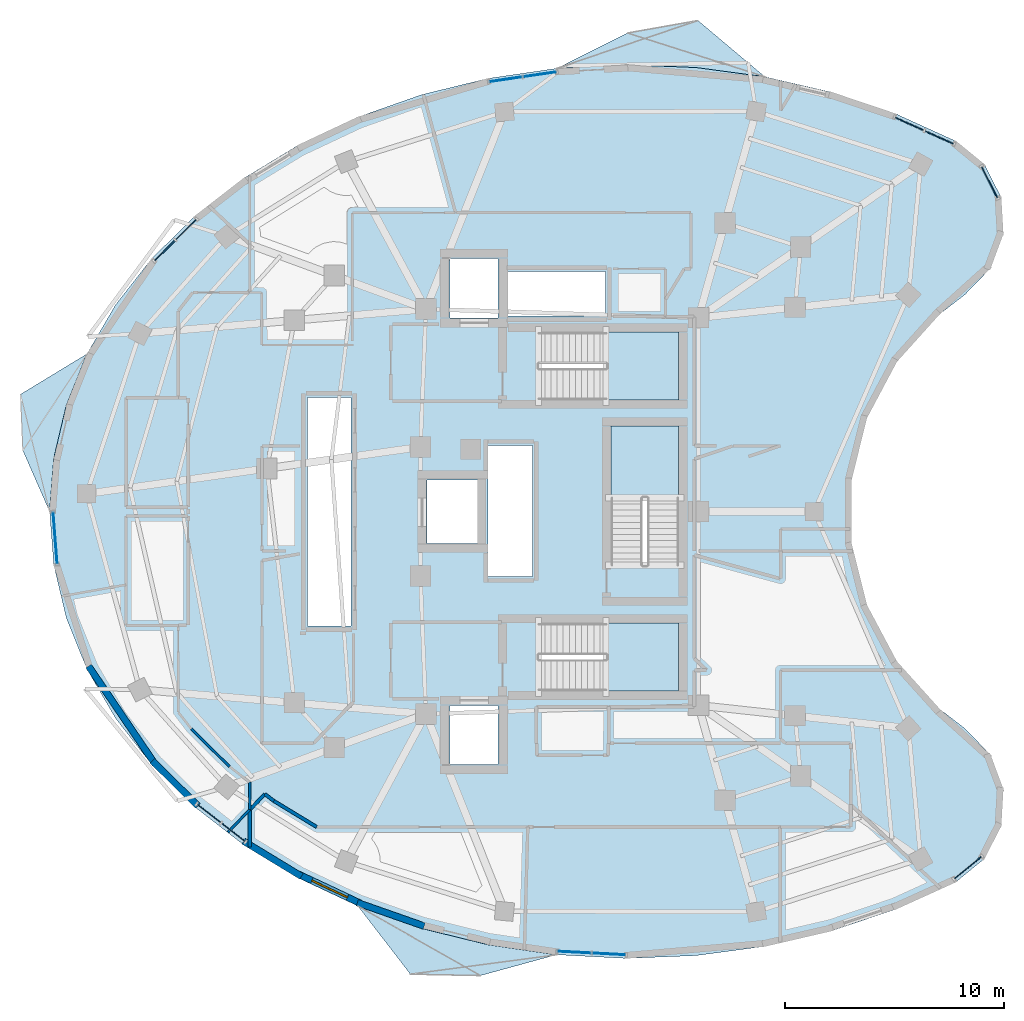
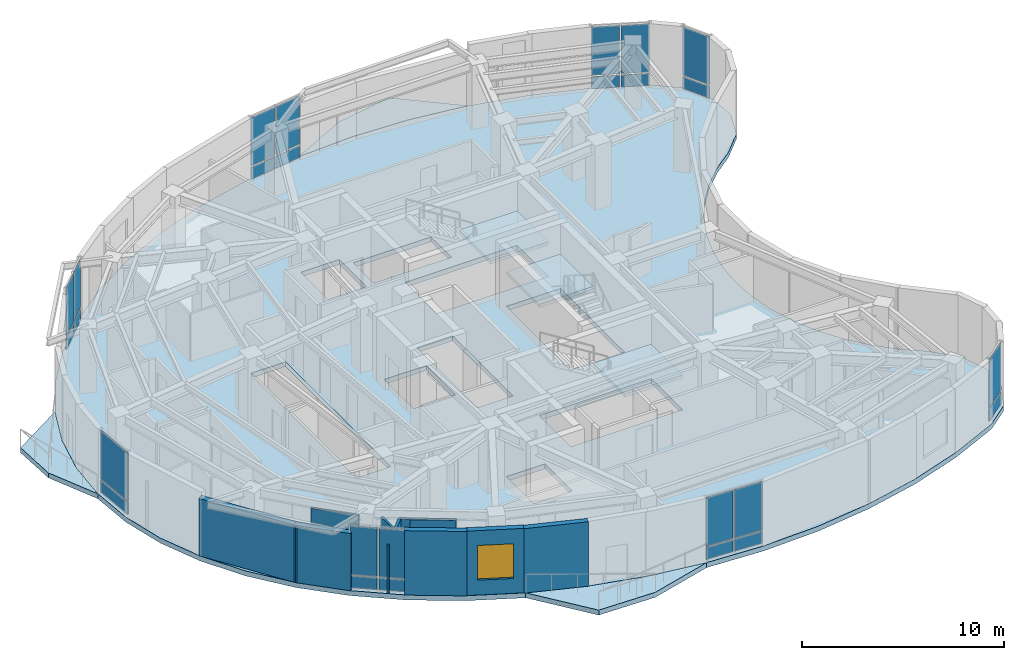
# One storey, part 6 of 14: 26 plates, 12 walls, 7 slabs, 1 window, 1 opening, 11 elements without a shape of their own.
"""IFC4 building model written with IfcOpenShell, lengths in metres."""

from ifc_helpers import new_model, si_unit, direction, frame, frame_2d, origin, origin_2d, place, context, subcontext, project, spatial, polyline, rectangle, outline, extrude, material, layer, layer_set, type_object, element, fill, aggregate, save


model = new_model("IFC4")

# Units and contexts
model_context = context("Model", 3, precision=1e-05, world=origin(), true_north=direction((0.0, 1.0)))
body_context = subcontext(model_context, "Body", "Model", "MODEL_VIEW")
ifc_project = project(units=[si_unit("LENGTHUNIT", "METRE"), si_unit("AREAUNIT", "SQUARE_METRE"), si_unit("VOLUMEUNIT", "CUBIC_METRE"), si_unit("PLANEANGLEUNIT", "RADIAN"), si_unit("MASSUNIT", "GRAM", prefix="KILO")], contexts=[model_context])

# Site, building, storey
site_placement = place(None, origin())
site = spatial("IfcSite", under=ifc_project, at=site_placement, CompositionType="ELEMENT")
building_placement = place(site_placement, origin())
building = spatial("IfcBuilding", under=site, at=building_placement, Name="Korentha Bioscience Tower", CompositionType="ELEMENT")
storey_placement = place(building_placement, frame((0.0, 0.0, 264.60009765625)))
storey = spatial("IfcBuildingStorey", under=building, at=storey_placement, Name="L61", CompositionType="ELEMENT", Elevation=264.60009765625)

# Curtain wall, plates
ifc_material_1 = material(Name="Thermally Broken Aluminium Frame", Category="aluminium")
ifc_layer_1 = layer(ifc_material_1, 0.219970703125, Name="Thermally Broken Aluminium Frame")
ifc_layer_set_1 = layer_set([ifc_layer_1], Name="Thermally Broken Aluminium Frame (CW-T1)")
curtain_wall_type = type_object("IfcCurtainWallType", Name="Standard Bioscience Lab Unitised Curtain Wall CW-T1", PredefinedType="USERDEFINED", material=ifc_layer_set_1)
curtain_wall_1_placement = place(storey_placement, origin())
curtain_wall_1 = element("IfcCurtainWall", 1, at=curtain_wall_1_placement, inside=storey, type_object=curtain_wall_type, Name="L61 Curtain Wall 01", ObjectType="UNITISED", PredefinedType="USERDEFINED")
ifc_material_2 = material(Name="Triple-Glazed Low-E Insulated Glass", Category="glass")
ifc_layer_2 = layer(ifc_material_2, 0.0439453125, Name="Triple-Glazed Low-E Insulated Glass")
ifc_layer_set_2 = layer_set([ifc_layer_2], Name="Triple-Glazed Low-E Insulated Glass (GL-44)")
plate_type = type_object("IfcPlateType", Name="Glazed Panel 44mm", PredefinedType="CURTAIN_PANEL", material=ifc_layer_set_2)
plate_1_placement = place(storey_placement, frame((48.554931640625, 44.091064453125, 0.08984375), z_axis=(0.0, 0.0, 1.0), x_axis=(-0.910604060449, 0.413279862918, 0.0)))
plate_1 = element("IfcPlate", 2, at=plate_1_placement, type_object=plate_type, Name="CW-L61-01 Bay 1 Glazed Panel 1", PredefinedType="CURTAIN_PANEL", context=body_context, shape_type="SweptSolid", body=[
    extrude(rectangle(XDim=1.41357421875, YDim=0.0439453125, at=origin_2d()), origin(), (0.0, 0.0, 1.0), 0.715087890625),
])
plate_2_placement = place(storey_placement, frame((48.554931640625, 44.091064453125, 0.894775390625), z_axis=(0.0, 0.0, 1.0), x_axis=(-0.910604060449, 0.413279862918, 0.0)))
plate_2 = element("IfcPlate", 3, at=plate_2_placement, type_object=plate_type, Name="CW-L61-01 Bay 1 Glazed Panel 2", PredefinedType="CURTAIN_PANEL", context=body_context, shape_type="SweptSolid", body=[
    extrude(rectangle(XDim=1.41357421875, YDim=0.0439453125, at=origin_2d()), origin(), (0.0, 0.0, 1.0), 2.9150390625),
])
plate_3_placement = place(storey_placement, frame((47.185791015625, 44.71240234375, 0.08984375), z_axis=(0.0, 0.0, 1.0), x_axis=(-0.910604060449, 0.413279862918, 0.0)))
plate_3 = element("IfcPlate", 4, at=plate_3_placement, type_object=plate_type, Name="CW-L61-01 Bay 2 Glazed Panel 1", PredefinedType="CURTAIN_PANEL", context=body_context, shape_type="SweptSolid", body=[
    extrude(rectangle(XDim=1.41357421875, YDim=0.0439453125, at=origin_2d()), origin(), (0.0, 0.0, 1.0), 0.715087890625),
])
plate_4_placement = place(storey_placement, frame((47.185791015625, 44.71240234375, 0.894775390625), z_axis=(0.0, 0.0, 1.0), x_axis=(-0.910604060449, 0.413279862918, 0.0)))
plate_4 = element("IfcPlate", 5, at=plate_4_placement, type_object=plate_type, Name="CW-L61-01 Bay 2 Glazed Panel 2", PredefinedType="CURTAIN_PANEL", context=body_context, shape_type="SweptSolid", body=[
    extrude(rectangle(XDim=1.41357421875, YDim=0.0439453125, at=origin_2d()), origin(), (0.0, 0.0, 1.0), 2.9150390625),
])
aggregate(curtain_wall_1, [plate_1, plate_2, plate_3, plate_4])

curtain_wall_2_placement = place(storey_placement, origin())
curtain_wall_2 = element("IfcCurtainWall", 6, at=curtain_wall_2_placement, inside=storey, type_object=curtain_wall_type, Name="L61 Curtain Wall 07", ObjectType="UNITISED", PredefinedType="USERDEFINED")
plate_5_placement = place(storey_placement, frame((30.309814453125, 46.9736328125, 0.08984375), z_axis=(0.0, 0.0, 1.0), x_axis=(-0.989459665324, -0.144808738328, 0.0)))
plate_5 = element("IfcPlate", 7, at=plate_5_placement, type_object=plate_type, Name="CW-L61-07 Bay 1 Glazed Panel 1", PredefinedType="CURTAIN_PANEL", context=body_context, shape_type="SweptSolid", body=[
    extrude(rectangle(XDim=1.489013671875, YDim=0.0439453125, at=origin_2d()), origin(), (0.0, 0.0, 1.0), 0.715087890625),
])
plate_6_placement = place(storey_placement, frame((30.309814453125, 46.9736328125, 0.894775390625), z_axis=(0.0, 0.0, 1.0), x_axis=(-0.989459665324, -0.144808738328, 0.0)))
plate_6 = element("IfcPlate", 8, at=plate_6_placement, type_object=plate_type, Name="CW-L61-07 Bay 1 Glazed Panel 2", PredefinedType="CURTAIN_PANEL", context=body_context, shape_type="SweptSolid", body=[
    extrude(rectangle(XDim=1.489013671875, YDim=0.0439453125, at=origin_2d()), origin(), (0.0, 0.0, 1.0), 2.9150390625),
])
plate_7_placement = place(storey_placement, frame((28.74755859375, 46.7451171875, 0.08984375), z_axis=(0.0, 0.0, 1.0), x_axis=(-0.989459665324, -0.144808738328, 0.0)))
plate_7 = element("IfcPlate", 9, at=plate_7_placement, type_object=plate_type, Name="CW-L61-07 Bay 2 Glazed Panel 1", PredefinedType="CURTAIN_PANEL", context=body_context, shape_type="SweptSolid", body=[
    extrude(rectangle(XDim=1.489013671875, YDim=0.0439453125, at=origin_2d()), origin(), (0.0, 0.0, 1.0), 0.715087890625),
])
plate_8_placement = place(storey_placement, frame((28.74755859375, 46.7451171875, 0.894775390625), z_axis=(0.0, 0.0, 1.0), x_axis=(-0.989459665324, -0.144808738328, 0.0)))
plate_8 = element("IfcPlate", 10, at=plate_8_placement, type_object=plate_type, Name="CW-L61-07 Bay 2 Glazed Panel 2", PredefinedType="CURTAIN_PANEL", context=body_context, shape_type="SweptSolid", body=[
    extrude(rectangle(XDim=1.489013671875, YDim=0.0439453125, at=origin_2d()), origin(), (0.0, 0.0, 1.0), 2.9150390625),
])
aggregate(curtain_wall_2, [plate_5, plate_6, plate_7, plate_8])

curtain_wall_3_placement = place(storey_placement, origin())
curtain_wall_3 = element("IfcCurtainWall", 11, at=curtain_wall_3_placement, inside=storey, type_object=curtain_wall_type, Name="L61 Curtain Wall 13", ObjectType="UNITISED", PredefinedType="USERDEFINED")
plate_9_placement = place(storey_placement, frame((14.144775390625, 39.8828125, 0.08984375), z_axis=(0.0, 0.0, 1.0), x_axis=(-0.711397700041, -0.702789664392, 0.0)))
plate_9 = element("IfcPlate", 12, at=plate_9_placement, type_object=plate_type, Name="CW-L61-13 Bay 1 Glazed Panel 1", PredefinedType="CURTAIN_PANEL", context=body_context, shape_type="SweptSolid", body=[
    extrude(rectangle(XDim=1.2822265625, YDim=0.0439453125, at=origin_2d()), origin(), (0.0, 0.0, 1.0), 0.715087890625),
])
plate_10_placement = place(storey_placement, frame((14.144775390625, 39.8828125, 0.894775390625), z_axis=(0.0, 0.0, 1.0), x_axis=(-0.711397700041, -0.702789664392, 0.0)))
plate_10 = element("IfcPlate", 13, at=plate_10_placement, type_object=plate_type, Name="CW-L61-13 Bay 1 Glazed Panel 2", PredefinedType="CURTAIN_PANEL", context=body_context, shape_type="SweptSolid", body=[
    extrude(rectangle(XDim=1.2822265625, YDim=0.0439453125, at=origin_2d()), origin(), (0.0, 0.0, 1.0), 2.9150390625),
])
plate_11_placement = place(storey_placement, frame((13.16845703125, 38.918212890625, 0.08984375), z_axis=(0.0, 0.0, 1.0), x_axis=(-0.711397700041, -0.702789664392, 0.0)))
plate_11 = element("IfcPlate", 14, at=plate_11_placement, type_object=plate_type, Name="CW-L61-13 Bay 2 Glazed Panel 1", PredefinedType="CURTAIN_PANEL", context=body_context, shape_type="SweptSolid", body=[
    extrude(rectangle(XDim=1.2822265625, YDim=0.0439453125, at=origin_2d()), origin(), (0.0, 0.0, 1.0), 0.715087890625),
])
plate_12_placement = place(storey_placement, frame((13.16845703125, 38.918212890625, 0.894775390625), z_axis=(0.0, 0.0, 1.0), x_axis=(-0.711397700041, -0.702789664392, 0.0)))
plate_12 = element("IfcPlate", 15, at=plate_12_placement, type_object=plate_type, Name="CW-L61-13 Bay 2 Glazed Panel 2", PredefinedType="CURTAIN_PANEL", context=body_context, shape_type="SweptSolid", body=[
    extrude(rectangle(XDim=1.2822265625, YDim=0.0439453125, at=origin_2d()), origin(), (0.0, 0.0, 1.0), 2.9150390625),
])
aggregate(curtain_wall_3, [plate_9, plate_10, plate_11, plate_12])

curtain_wall_4_placement = place(storey_placement, origin())
curtain_wall_4 = element("IfcCurtainWall", 16, at=curtain_wall_4_placement, inside=storey, type_object=curtain_wall_type, Name="L61 Curtain Wall 19", ObjectType="UNITISED", PredefinedType="USERDEFINED")
plate_13_placement = place(storey_placement, frame((8.164306640625, 25.7880859375, 0.08984375), z_axis=(0.0, 0.0, 1.0), x_axis=(0.078035250492, -0.996950600421, 0.0)))
plate_13 = element("IfcPlate", 17, at=plate_13_placement, type_object=plate_type, Name="CW-L61-19 Bay 1 Glazed Panel 1", PredefinedType="CURTAIN_PANEL", context=body_context, shape_type="SweptSolid", body=[
    extrude(rectangle(XDim=2.35595703125, YDim=0.0439453125, at=origin_2d()), origin(), (0.0, 0.0, 1.0), 0.715087890625),
])
plate_14_placement = place(storey_placement, frame((8.164306640625, 25.7880859375, 0.894775390625), z_axis=(0.0, 0.0, 1.0), x_axis=(0.078035250492, -0.996950600421, 0.0)))
plate_14 = element("IfcPlate", 18, at=plate_14_placement, type_object=plate_type, Name="CW-L61-19 Bay 1 Glazed Panel 2", PredefinedType="CURTAIN_PANEL", context=body_context, shape_type="SweptSolid", body=[
    extrude(rectangle(XDim=2.35595703125, YDim=0.0439453125, at=origin_2d()), origin(), (0.0, 0.0, 1.0), 2.9150390625),
])
aggregate(curtain_wall_4, [plate_13, plate_14])

curtain_wall_5_placement = place(storey_placement, origin())
curtain_wall_5 = element("IfcCurtainWall", 19, at=curtain_wall_5_placement, inside=storey, type_object=curtain_wall_type, Name="L61 Curtain Wall 25", ObjectType="UNITISED", PredefinedType="USERDEFINED")
plate_15_placement = place(storey_placement, frame((15.185791015625, 13.20751953125, 0.08984375), z_axis=(0.0, 0.0, 1.0), x_axis=(0.790487520139, -0.612478146961, 0.0)))
plate_15 = element("IfcPlate", 20, at=plate_15_placement, type_object=plate_type, Name="CW-L61-25 Bay 1 Glazed Panel 1", PredefinedType="CURTAIN_PANEL", context=body_context, shape_type="SweptSolid", body=[
    extrude(rectangle(XDim=1.326416015625, YDim=0.0439453125, at=origin_2d()), origin(), (0.0, 0.0, 1.0), 0.715087890625),
])
plate_16_placement = place(storey_placement, frame((15.185791015625, 13.20751953125, 0.894775390625), z_axis=(0.0, 0.0, 1.0), x_axis=(0.790487520139, -0.612478146961, 0.0)))
plate_16 = element("IfcPlate", 21, at=plate_16_placement, type_object=plate_type, Name="CW-L61-25 Bay 1 Glazed Panel 2", PredefinedType="CURTAIN_PANEL", context=body_context, shape_type="SweptSolid", body=[
    extrude(rectangle(XDim=1.326416015625, YDim=0.0439453125, at=origin_2d()), origin(), (0.0, 0.0, 1.0), 2.9150390625),
])
plate_17_placement = place(storey_placement, frame((16.305419921875, 12.33984375, 0.08984375), z_axis=(0.0, 0.0, 1.0), x_axis=(0.790487520139, -0.612478146961, 0.0)))
plate_17 = element("IfcPlate", 22, at=plate_17_placement, type_object=plate_type, Name="CW-L61-25 Bay 2 Glazed Panel 1", PredefinedType="CURTAIN_PANEL", context=body_context, shape_type="SweptSolid", body=[
    extrude(rectangle(XDim=1.326416015625, YDim=0.0439453125, at=origin_2d()), origin(), (0.0, 0.0, 1.0), 0.715087890625),
])
plate_18_placement = place(storey_placement, frame((16.305419921875, 12.33984375, 0.894775390625), z_axis=(0.0, 0.0, 1.0), x_axis=(0.790487520139, -0.612478146961, 0.0)))
plate_18 = element("IfcPlate", 23, at=plate_18_placement, type_object=plate_type, Name="CW-L61-25 Bay 2 Glazed Panel 2", PredefinedType="CURTAIN_PANEL", context=body_context, shape_type="SweptSolid", body=[
    extrude(rectangle(XDim=1.326416015625, YDim=0.0439453125, at=origin_2d()), origin(), (0.0, 0.0, 1.0), 2.9150390625),
])
aggregate(curtain_wall_5, [plate_15, plate_16, plate_17, plate_18])

curtain_wall_6_placement = place(storey_placement, origin())
curtain_wall_6 = element("IfcCurtainWall", 24, at=curtain_wall_6_placement, inside=storey, type_object=curtain_wall_type, Name="L61 Curtain Wall 31", ObjectType="UNITISED", PredefinedType="USERDEFINED")
plate_19_placement = place(storey_placement, frame((31.87939453125, 6.87109375, 0.08984375), z_axis=(0.0, 0.0, 1.0), x_axis=(0.998636113937, -0.052210266622, 0.0)))
plate_19 = element("IfcPlate", 25, at=plate_19_placement, type_object=plate_type, Name="CW-L61-31 Bay 1 Glazed Panel 1", PredefinedType="CURTAIN_PANEL", context=body_context, shape_type="SweptSolid", body=[
    extrude(rectangle(XDim=1.498779296875, YDim=0.0439453125, at=origin_2d()), origin(), (0.0, 0.0, 1.0), 0.715087890625),
])
plate_20_placement = place(storey_placement, frame((31.87939453125, 6.87109375, 0.894775390625), z_axis=(0.0, 0.0, 1.0), x_axis=(0.998636113937, -0.052210266622, 0.0)))
plate_20 = element("IfcPlate", 26, at=plate_20_placement, type_object=plate_type, Name="CW-L61-31 Bay 1 Glazed Panel 2", PredefinedType="CURTAIN_PANEL", context=body_context, shape_type="SweptSolid", body=[
    extrude(rectangle(XDim=1.498779296875, YDim=0.0439453125, at=origin_2d()), origin(), (0.0, 0.0, 1.0), 2.9150390625),
])
plate_21_placement = place(storey_placement, frame((33.466064453125, 6.7880859375, 0.08984375), z_axis=(0.0, 0.0, 1.0), x_axis=(0.998636113937, -0.052210266622, 0.0)))
plate_21 = element("IfcPlate", 27, at=plate_21_placement, type_object=plate_type, Name="CW-L61-31 Bay 2 Glazed Panel 1", PredefinedType="CURTAIN_PANEL", context=body_context, shape_type="SweptSolid", body=[
    extrude(rectangle(XDim=1.498779296875, YDim=0.0439453125, at=origin_2d()), origin(), (0.0, 0.0, 1.0), 0.715087890625),
])
plate_22_placement = place(storey_placement, frame((33.466064453125, 6.7880859375, 0.894775390625), z_axis=(0.0, 0.0, 1.0), x_axis=(0.998636113937, -0.052210266622, 0.0)))
plate_22 = element("IfcPlate", 28, at=plate_22_placement, type_object=plate_type, Name="CW-L61-31 Bay 2 Glazed Panel 2", PredefinedType="CURTAIN_PANEL", context=body_context, shape_type="SweptSolid", body=[
    extrude(rectangle(XDim=1.498779296875, YDim=0.0439453125, at=origin_2d()), origin(), (0.0, 0.0, 1.0), 2.9150390625),
])
aggregate(curtain_wall_6, [plate_19, plate_20, plate_21, plate_22])

curtain_wall_7_placement = place(storey_placement, origin())
curtain_wall_7 = element("IfcCurtainWall", 29, at=curtain_wall_7_placement, inside=storey, type_object=curtain_wall_type, Name="L61 Curtain Wall 37", ObjectType="UNITISED", PredefinedType="USERDEFINED")
plate_23_placement = place(storey_placement, frame((49.85986328125, 10.732177734375, 0.08984375), z_axis=(0.0, 0.0, 1.0), x_axis=(0.774235415138, 0.632897718393, 0.0)))
plate_23 = element("IfcPlate", 30, at=plate_23_placement, type_object=plate_type, Name="CW-L61-37 Bay 1 Glazed Panel 1", PredefinedType="CURTAIN_PANEL", context=body_context, shape_type="SweptSolid", body=[
    extrude(rectangle(XDim=1.581787109375, YDim=0.0439453125, at=origin_2d()), origin(), (0.0, 0.0, 1.0), 0.715087890625),
])
plate_24_placement = place(storey_placement, frame((49.85986328125, 10.732177734375, 0.894775390625), z_axis=(0.0, 0.0, 1.0), x_axis=(0.774235415138, 0.632897718393, 0.0)))
plate_24 = element("IfcPlate", 31, at=plate_24_placement, type_object=plate_type, Name="CW-L61-37 Bay 1 Glazed Panel 2", PredefinedType="CURTAIN_PANEL", context=body_context, shape_type="SweptSolid", body=[
    extrude(rectangle(XDim=1.581787109375, YDim=0.0439453125, at=origin_2d()), origin(), (0.0, 0.0, 1.0), 2.9150390625),
])
aggregate(curtain_wall_7, [plate_23, plate_24])

curtain_wall_8_placement = place(storey_placement, origin())
curtain_wall_8 = element("IfcCurtainWall", 32, at=curtain_wall_8_placement, inside=storey, type_object=curtain_wall_type, Name="L61 Curtain Wall 61", ObjectType="UNITISED", PredefinedType="USERDEFINED")
plate_25_placement = place(storey_placement, frame((50.8515625, 42.037841796875, 0.08984375), z_axis=(0.0, 0.0, 1.0), x_axis=(-0.454238686477, 0.890880023184, 0.0)))
plate_25 = element("IfcPlate", 33, at=plate_25_placement, type_object=plate_type, Name="CW-L61-61 Bay 1 Glazed Panel 1", PredefinedType="CURTAIN_PANEL", context=body_context, shape_type="SweptSolid", body=[
    extrude(rectangle(XDim=1.58154296875, YDim=0.0439453125, at=origin_2d()), origin(), (0.0, 0.0, 1.0), 0.715087890625),
])
plate_26_placement = place(storey_placement, frame((50.8515625, 42.037841796875, 0.894775390625), z_axis=(0.0, 0.0, 1.0), x_axis=(-0.454238686477, 0.890880023184, 0.0)))
plate_26 = element("IfcPlate", 34, at=plate_26_placement, type_object=plate_type, Name="CW-L61-61 Bay 1 Glazed Panel 2", PredefinedType="CURTAIN_PANEL", context=body_context, shape_type="SweptSolid", body=[
    extrude(rectangle(XDim=1.58154296875, YDim=0.0439453125, at=origin_2d()), origin(), (0.0, 0.0, 1.0), 2.9150390625),
])
aggregate(curtain_wall_8, [plate_25, plate_26])

# Slab
ifc_material_3 = material(Name="Concrete C50", Category="concrete")
ifc_layer_3 = layer(ifc_material_3, 0.300048828125, Name="Concrete C50")
ifc_layer_set_3 = layer_set([ifc_layer_3], Name="Concrete C50 (SL-L300)")
slab_type_1 = type_object("IfcSlabType", Name="Laboratory Vibration-Controlled Slab 300", PredefinedType="FLOOR", material=ifc_layer_set_3)
slab_1_placement = place(storey_placement, frame((0.0, 0.0, -0.300048828125)))
element("IfcSlab", 35, at=slab_1_placement, inside=storey, type_object=slab_type_1, Name="L61 Tower Structural Floor Slab", PredefinedType="FLOOR", context=body_context, shape_type="SweptSolid", body=[
    extrude(outline(polyline([(49.310302734375, 43.924072265625), (46.562744140625, 45.1708984375), (43.640380859375, 46.15576171875), (40.58544921875, 46.86376953125), (37.4423828125, 47.284912109375), (34.256103515625, 47.413330078125), (31.07275390625, 47.2470703125), (27.9384765625, 46.788330078125), (24.898193359375, 46.0439453125), (21.99609375, 45.0244140625), (19.27392578125, 43.744873046875), (16.771240234375, 42.223388671875), (14.52392578125, 40.482177734375), (12.564453125, 38.54638671875), (10.921142578125, 36.443603515625), (9.61767578125, 34.20458984375), (8.673095703125, 31.86181640625), (8.1005859375, 29.448486328125), (7.908935546875, 27.0), (8.1005859375, 24.551513671875), (8.673095703125, 22.13818359375), (9.61767578125, 19.79541015625), (10.921142578125, 17.556396484375), (12.564453125, 15.45361328125), (14.52392578125, 13.517822265625), (16.771240234375, 11.776611328125), (19.27392578125, 10.255126953125), (21.99609375, 8.9755859375), (24.898193359375, 7.9560546875), (27.9384765625, 7.211669921875), (31.07275390625, 6.7529296875), (34.256103515625, 6.586669921875), (37.4423828125, 6.715087890625), (40.58544921875, 7.13623046875), (43.640380859375, 7.84423828125), (46.562744140625, 8.8291015625), (49.310302734375, 10.075927734375), (50.6123046875, 11.140380859375), (51.3759765625, 12.638671875), (51.47265625, 14.3173828125), (50.8857421875, 15.893310546875), (49.714599609375, 17.10009765625), (48.55810546875, 17.98779296875), (47.51806640625, 19.009765625), (46.6103515625, 20.15087890625), (45.8486328125, 21.393798828125), (45.243896484375, 22.720703125), (44.8056640625, 24.111083984375), (44.539794921875, 25.544677734375), (44.450927734375, 27.0), (44.539794921875, 28.455322265625), (44.8056640625, 29.888916015625), (45.243896484375, 31.279296875), (45.8486328125, 32.606201171875), (46.6103515625, 33.84912109375), (47.51806640625, 34.990234375), (48.55810546875, 36.01220703125), (49.714599609375, 36.89990234375), (50.8857421875, 38.106689453125), (51.47265625, 39.6826171875), (51.3759765625, 41.361328125), (50.6123046875, 42.859619140625), (49.310302734375, 43.924072265625)]), holes=[polyline([(30.25, 32.10009765625), (36.64990234375, 32.10009765625), (36.64990234375, 35.199951171875), (30.25, 35.199951171875), (30.25, 32.10009765625)]), polyline([(30.25, 18.800048828125), (36.64990234375, 18.800048828125), (36.64990234375, 21.89990234375), (30.25, 21.89990234375), (30.25, 18.800048828125)]), polyline([(36.64990234375, 24.550048828125), (36.64990234375, 30.89990234375), (33.550048828125, 30.89990234375), (33.550048828125, 24.550048828125), (36.64990234375, 24.550048828125)]), polyline([(19.679931640625, 21.780029296875), (21.669921875, 21.780029296875), (21.669921875, 32.219970703125), (19.679931640625, 32.219970703125), (19.679931640625, 21.780029296875)]), polyline([(27.929931640625, 24.030029296875), (29.969970703125, 24.030029296875), (29.969970703125, 30.02001953125), (27.929931640625, 30.02001953125), (27.929931640625, 24.030029296875)]), polyline([(28.860107421875, 35.93994140625), (33.31005859375, 35.93994140625), (33.31005859375, 37.9599609375), (28.860107421875, 37.9599609375), (28.860107421875, 35.93994140625)]), polyline([(26.199951171875, 15.449951171875), (28.39990234375, 15.449951171875), (28.39990234375, 18.14990234375), (26.199951171875, 18.14990234375), (26.199951171875, 15.449951171875)]), polyline([(26.199951171875, 35.85009765625), (28.39990234375, 35.85009765625), (28.39990234375, 38.550048828125), (26.199951171875, 38.550048828125), (26.199951171875, 35.85009765625)]), polyline([(25.14990234375, 25.550048828125), (27.550048828125, 25.550048828125), (27.550048828125, 28.449951171875), (25.14990234375, 28.449951171875), (25.14990234375, 25.550048828125)])]), origin(), (0.0, 0.0, 1.0), 0.300048828125),
])

# Stair, slab
ifc_material_4 = material(Name="Precast Concrete C50", Category="concrete")
stair_type = type_object("IfcStairType", Name="Core Exit Dog-Leg Stair 1450", PredefinedType="HALF_TURN_STAIR", material=ifc_material_4)
stair_1_placement = place(storey_placement, origin())
stair_1 = element("IfcStair", 36, at=stair_1_placement, inside=storey, type_object=stair_type, Name="L61 Tower North Pressurized Exit Stair ST-1", PredefinedType="HALF_TURN_STAIR")
ifc_layer_4 = layer(ifc_material_3, 0.199951171875, Name="Concrete C50")
ifc_layer_set_4 = layer_set([ifc_layer_4], Name="Concrete C50 (SL-LND)")
slab_type_2 = type_object("IfcSlabType", Name="Landing Slab 200", PredefinedType="LANDING", material=ifc_layer_set_4)
slab_2_placement = place(storey_placement, frame((0.0, 0.0, 1.89990234375)))
slab_2 = element("IfcSlab", 37, at=slab_2_placement, type_object=slab_type_2, Name="ST-1 landing 1", PredefinedType="LANDING", context=body_context, shape_type="SweptSolid", body=[
    extrude(outline(polyline([(33.330078125, 32.10009765625), (36.64990234375, 32.10009765625), (36.64990234375, 35.199951171875), (33.330078125, 35.199951171875), (33.330078125, 32.10009765625)])), origin(), (0.0, 0.0, 1.0), 0.199951171875),
])
aggregate(stair_1, [slab_2])

stair_2_placement = place(storey_placement, origin())
stair_2 = element("IfcStair", 38, at=stair_2_placement, inside=storey, type_object=stair_type, Name="L61 Tower South Pressurized Exit Stair ST-2", PredefinedType="HALF_TURN_STAIR")
slab_3_placement = place(storey_placement, frame((0.0, 0.0, 1.89990234375)))
slab_3 = element("IfcSlab", 39, at=slab_3_placement, type_object=slab_type_2, Name="ST-2 landing 1", PredefinedType="LANDING", context=body_context, shape_type="SweptSolid", body=[
    extrude(outline(polyline([(33.330078125, 18.800048828125), (36.64990234375, 18.800048828125), (36.64990234375, 21.89990234375), (33.330078125, 21.89990234375), (33.330078125, 18.800048828125)])), origin(), (0.0, 0.0, 1.0), 0.199951171875),
])
aggregate(stair_2, [slab_3])

stair_3_placement = place(storey_placement, origin())
stair_3 = element("IfcStair", 40, at=stair_3_placement, inside=storey, type_object=stair_type, Name="L61 Tower Central Pressurized Exit Stair ST-3", PredefinedType="HALF_TURN_STAIR")
slab_4_placement = place(storey_placement, frame((0.0, 0.0, 1.89990234375)))
slab_4 = element("IfcSlab", 41, at=slab_4_placement, type_object=slab_type_2, Name="ST-3 landing 1", PredefinedType="LANDING", context=body_context, shape_type="SweptSolid", body=[
    extrude(outline(polyline([(36.64990234375, 27.6298828125), (36.64990234375, 30.89990234375), (33.550048828125, 30.89990234375), (33.550048828125, 27.6298828125), (36.64990234375, 27.6298828125)])), origin(), (0.0, 0.0, 1.0), 0.199951171875),
])
aggregate(stair_3, [slab_4])

# Slabs
ifc_layer_5 = layer(ifc_material_3, 0.300048828125, Name="Concrete C50")
ifc_layer_set_5 = layer_set([ifc_layer_5], Name="Concrete C50 (BS-240)")
slab_type_3 = type_object("IfcSlabType", Name="Sawtooth Sun-Ledge Balcony Slab 240", PredefinedType="USERDEFINED", material=ifc_layer_set_5)
slab_5_placement = place(storey_placement, frame((0.0, 0.0, -0.300048828125)))
element("IfcSlab", 42, at=slab_5_placement, inside=storey, type_object=slab_type_3, Name="L61 Sun-Ledge Balcony 01", ObjectType="BALCONY", PredefinedType="USERDEFINED", context=body_context, shape_type="SweptSolid", body=[
    extrude(outline(polyline([(31.07275390625, 47.2470703125), (34.256103515625, 47.413330078125), (37.4423828125, 47.284912109375), (40.58544921875, 46.86376953125), (37.52880859375, 49.433349609375), (34.314453125, 48.8623046875), (31.07275390625, 47.2470703125)])), origin(), (0.0, 0.0, 1.0), 0.300048828125),
])
slab_6_placement = place(storey_placement, frame((0.0, 0.0, -0.300048828125)))
element("IfcSlab", 43, at=slab_6_placement, inside=storey, type_object=slab_type_3, Name="L61 Sun-Ledge Balcony 02", ObjectType="BALCONY", PredefinedType="USERDEFINED", context=body_context, shape_type="SweptSolid", body=[
    extrude(outline(polyline([(7.908935546875, 27.0), (8.1005859375, 29.448486328125), (8.673095703125, 31.86181640625), (9.61767578125, 34.20458984375), (6.5810546875, 32.35791015625), (6.689697265625, 29.783203125), (7.908935546875, 27.0)])), origin(), (0.0, 0.0, 1.0), 0.300048828125),
])
slab_7_placement = place(storey_placement, frame((0.0, 0.0, -0.300048828125)))
element("IfcSlab", 44, at=slab_7_placement, inside=storey, type_object=slab_type_3, Name="L61 Sun-Ledge Balcony 03", ObjectType="BALCONY", PredefinedType="USERDEFINED", context=body_context, shape_type="SweptSolid", body=[
    extrude(outline(polyline([(31.07275390625, 6.7529296875), (27.9384765625, 7.211669921875), (24.898193359375, 7.9560546875), (21.99609375, 8.9755859375), (24.386962890625, 5.867919921875), (27.593505859375, 5.80322265625), (31.07275390625, 6.7529296875)])), origin(), (0.0, 0.0, 1.0), 0.300048828125),
])

# Walls
ifc_material_5 = material(Name="Double-Stud Acoustic Gypsum", Category="gypsum")
ifc_layer_6 = layer(ifc_material_5, 0.14990234375, Name="Double-Stud Acoustic Gypsum")
ifc_layer_set_6 = layer_set([ifc_layer_6], Name="Double-Stud Acoustic Gypsum (IW-L150)")
wall_type_1 = type_object("IfcWallType", Name="Acoustic Laboratory Partition Wall 150", PredefinedType="PARTITIONING", material=ifc_layer_set_6)
wall_1_placement = place(storey_placement, frame((17.052001953125, 11.67529296875, 0.0), z_axis=(0.0, 0.0, 1.0), x_axis=(0.0, 1.0, 0.0)))
element("IfcWall", 45, at=wall_1_placement, inside=storey, type_object=wall_type_1, Name="L61 Interior Partition 042", PredefinedType="PARTITIONING", context=body_context, shape_type="SweptSolid", body=[
    extrude(rectangle(XDim=1.692626953125, YDim=0.14990234375, at=frame_2d((0.84619140625, 0.0))), origin(), (0.0, 0.0, 1.0), 2.909912109375),
])
wall_2_placement = place(storey_placement, frame((17.05810546875, 13.382568359375, 0.0), z_axis=(0.0, 0.0, 1.0), x_axis=(0.693419009771, 0.720534577163, 0.0)))
element("IfcWall", 46, at=wall_2_placement, inside=storey, type_object=wall_type_1, Name="L61 Interior Partition 043", PredefinedType="PARTITIONING", context=body_context, shape_type="SweptSolid", body=[
    extrude(rectangle(XDim=0.990478515625, YDim=0.14990234375, at=frame_2d((0.4951171875, 0.0))), origin(), (0.0, 0.0, 1.0), 2.909912109375),
])
wall_3_placement = place(storey_placement, frame((17.744873046875, 14.09619140625, 0.0), z_axis=(0.0, 0.0, 1.0), x_axis=(0.790478415243, -0.612489897904, 0.0)))
element("IfcWall", 47, at=wall_3_placement, inside=storey, type_object=wall_type_1, Name="L61 Interior Partition 044", PredefinedType="PARTITIONING", context=body_context, shape_type="SweptSolid", body=[
    extrude(rectangle(XDim=0.512939453125, YDim=0.14990234375, at=frame_2d((0.25634765625, 0.0))), origin(), (0.0, 0.0, 1.0), 2.909912109375),
])
wall_4_placement = place(storey_placement, frame((18.1513671875, 13.781494140625, 0.0), z_axis=(0.0, 0.0, 1.0), x_axis=(0.854507101003, -0.519439711935, 0.0)))
element("IfcWall", 48, at=wall_4_placement, inside=storey, type_object=wall_type_1, Name="L61 Interior Partition 045", PredefinedType="PARTITIONING", context=body_context, shape_type="SweptSolid", body=[
    extrude(rectangle(XDim=2.290771484375, YDim=0.14990234375, at=frame_2d((1.1455078125, 0.0))), origin(), (0.0, 0.0, 1.0), 2.909912109375),
])
ifc_material_6 = material(Name="Fire-Rated Framed Glass", Category="glass")
ifc_layer_7 = layer(ifc_material_6, 0.110107421875, Name="Fire-Rated Framed Glass")
ifc_layer_set_7 = layer_set([ifc_layer_7], Name="Fire-Rated Framed Glass (IW-G110)")
wall_type_2 = type_object("IfcWallType", Name="Demountable Glazed Office Partition 110", PredefinedType="MOVABLE", material=ifc_layer_set_7)
wall_5_placement = place(storey_placement, frame((14.383544921875, 17.072509765625, 0.0), z_axis=(0.0, 0.0, 1.0), x_axis=(0.711327015195, -0.702861207817, 0.0)))
element("IfcWall", 49, at=wall_5_placement, inside=storey, type_object=wall_type_2, Name="L61 Interior Partition 033", PredefinedType="MOVABLE", context=body_context, shape_type="SweptSolid", body=[
    extrude(rectangle(XDim=2.451171875, YDim=0.110107421875, at=frame_2d((1.2255859375, 0.0))), origin(), (0.0, 0.0, 1.0), 2.909912109375),
])
wall_6_placement = place(storey_placement, frame((17.048095703125, 14.63623046875, 0.0), z_axis=(0.0, 0.0, 1.0), x_axis=(0.0, -1.0, 0.0)))
element("IfcWall", 50, at=wall_6_placement, inside=storey, type_object=wall_type_2, Name="L61 Interior Partition 035", PredefinedType="MOVABLE", context=body_context, shape_type="SweptSolid", body=[
    extrude(rectangle(XDim=1.258056640625, YDim=0.110107421875, at=frame_2d((0.62890625, 0.0))), origin(), (0.0, 0.0, 1.0), 2.909912109375),
])
wall_7_placement = place(storey_placement, frame((17.0478515625, 13.3779296875, 0.0), z_axis=(0.0, 0.0, 1.0), x_axis=(-0.693410652624, -0.720542619716, 0.0)))
element("IfcWall", 51, at=wall_7_placement, inside=storey, type_object=wall_type_2, Name="L61 Interior Partition 036", PredefinedType="MOVABLE", context=body_context, shape_type="SweptSolid", body=[
    extrude(rectangle(XDim=1.421630859375, YDim=0.110107421875, at=frame_2d((0.7109375, 0.0))), origin(), (0.0, 0.0, 1.0), 2.909912109375),
])

# Wall, opening, window
ifc_material_7 = material(Name="Honed Limestone Precast Concrete C40", Category="masonry")
ifc_layer_8 = layer(ifc_material_7, 0.300048828125, Name="Honed Limestone Precast Concrete C40")
ifc_layer_set_8 = layer_set([ifc_layer_8], Name="Honed Limestone Precast Concrete C40 (EW-ST300)")
wall_type_3 = type_object("IfcWallType", Name="Honed Limestone Cavity Spandrel Wall 300", PredefinedType="STANDARD", material=ifc_layer_set_8)
wall_8_placement = place(storey_placement, frame((19.287841796875, 10.425537109375, 0.0), z_axis=(0.0, 0.0, 1.0), x_axis=(0.904969006582, -0.425477493089, 0.0)))
wall_8 = element("IfcWall", 52, at=wall_8_placement, inside=storey, type_object=wall_type_3, Name="L61 Honed Limestone Spandrel Wall 27", PredefinedType="STANDARD", context=body_context, shape_type="SweptSolid", body=[
    extrude(rectangle(XDim=3.127685546875, YDim=0.300048828125, at=frame_2d((1.56396484375, 0.0))), origin(), (0.0, 0.0, 1.0), 3.89990234375),
])
opening_placement = place(wall_8_placement, frame((0.663818359375, 0.0, 0.89990234375)))
opening = element("IfcOpeningElement", 53, at=opening_placement, cuts=wall_8, Name="Opening WN-01", PredefinedType="OPENING", context=body_context, shape_type="SweptSolid", body=[
    extrude(rectangle(XDim=1.800048828125, YDim=2.10009765625, at=frame_2d((0.89990234375, 1.050048828125))), frame((0.0, 0.1650390625, 0.0), z_axis=(0.0, -1.0, 0.0), x_axis=(1.0, 0.0, 0.0)), (0.0, 0.0, 1.0), 0.329833984375),
])
ifc_material_8 = material(Name="Thermally Broken Aluminium Triple Glazing", Category="aluminium")
window_type = type_object("IfcWindowType", Name="Triple-Glazed Fixed Bioscience Window 1800x2100", PartitioningType="SINGLE_PANEL", PredefinedType="WINDOW", material=ifc_material_8)
window_placement = place(opening_placement, origin())
window = element("IfcWindow", 54, at=window_placement, inside=storey, type_object=window_type, Name="L61 Facade Window 27", OverallHeight=2.10009765625, OverallWidth=1.800048828125, PartitioningType="SINGLE_PANEL", PredefinedType="WINDOW", context=body_context, shape_type="SweptSolid", body=[
    extrude(rectangle(XDim=1.800048828125, YDim=2.10009765625, at=frame_2d((0.89990234375, 1.050048828125))), frame((0.0, 0.030029296875, 0.0), z_axis=(0.0, -1.0, 0.0), x_axis=(1.0, 0.0, 0.0)), (0.0, 0.0, 1.0), 0.06005859375),
])
fill(opening, window)

# Walls
wall_9_placement = place(storey_placement, frame((9.688720703125, 19.940185546875, 0.0), z_axis=(0.0, 0.0, 1.0), x_axis=(0.561547791281, -0.827444305139, 0.0)))
element("IfcWall", 55, at=wall_9_placement, inside=storey, type_object=wall_type_3, Name="L61 Limestone Perimeter Closure Wall 22", PredefinedType="STANDARD", context=body_context, shape_type="SweptSolid", body=[
    extrude(rectangle(XDim=5.4072265625, YDim=0.300048828125, at=frame_2d((2.70361328125, 0.0))), origin(), (0.0, 0.0, 1.0), 3.469970703125),
])
wall_10_placement = place(storey_placement, frame((12.60595703125, 15.609619140625, 0.0), z_axis=(0.0, 0.0, 1.0), x_axis=(0.711366092533, -0.702821657602, 0.0)))
element("IfcWall", 56, at=wall_10_placement, inside=storey, type_object=wall_type_3, Name="L61 Limestone Perimeter Closure Wall 24", PredefinedType="STANDARD", context=body_context, shape_type="SweptSolid", body=[
    extrude(rectangle(XDim=2.91455078125, YDim=0.300048828125, at=frame_2d((1.457275390625, 0.0))), origin(), (0.0, 0.0, 1.0), 3.469970703125),
])
wall_11_placement = place(storey_placement, frame((16.775634765625, 11.937744140625, 0.0), z_axis=(0.0, 0.0, 1.0), x_axis=(0.854500616392, -0.519450379329, 0.0)))
element("IfcWall", 57, at=wall_11_placement, inside=storey, type_object=wall_type_3, Name="L61 Limestone Perimeter Closure Wall 26", PredefinedType="STANDARD", context=body_context, shape_type="SweptSolid", body=[
    extrude(rectangle(XDim=3.0888671875, YDim=0.300048828125, at=frame_2d((1.54443359375, 0.0))), origin(), (0.0, 0.0, 1.0), 3.89990234375),
])
wall_12_placement = place(storey_placement, frame((21.967041015625, 9.134033203125, 0.0), z_axis=(0.0, 0.0, 1.0), x_axis=(0.943499035395, -0.331375270968, 0.0)))
element("IfcWall", 58, at=wall_12_placement, inside=storey, type_object=wall_type_3, Name="L61 Limestone Perimeter Closure Wall 28", PredefinedType="STANDARD", context=body_context, shape_type="SweptSolid", body=[
    extrude(rectangle(XDim=3.23583984375, YDim=0.300048828125, at=frame_2d((1.617919921875, 0.0))), origin(), (0.0, 0.0, 1.0), 3.89990234375),
])

save(model, "model.ifc")
